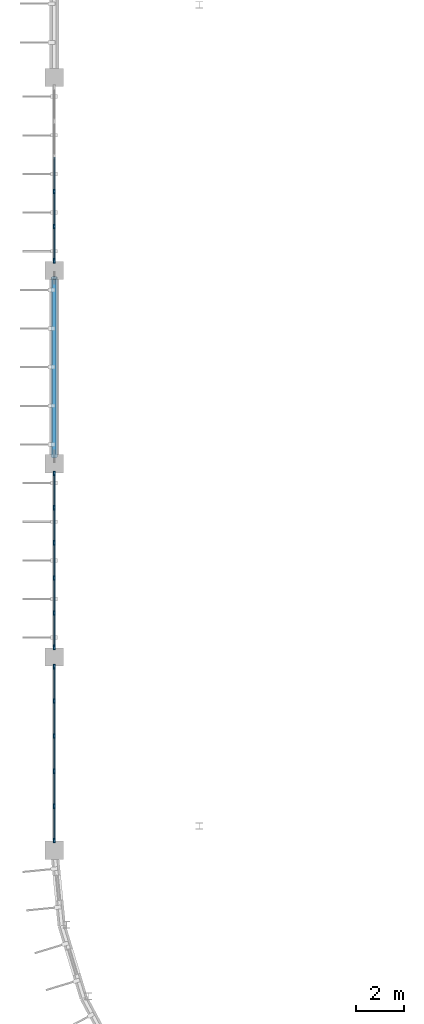
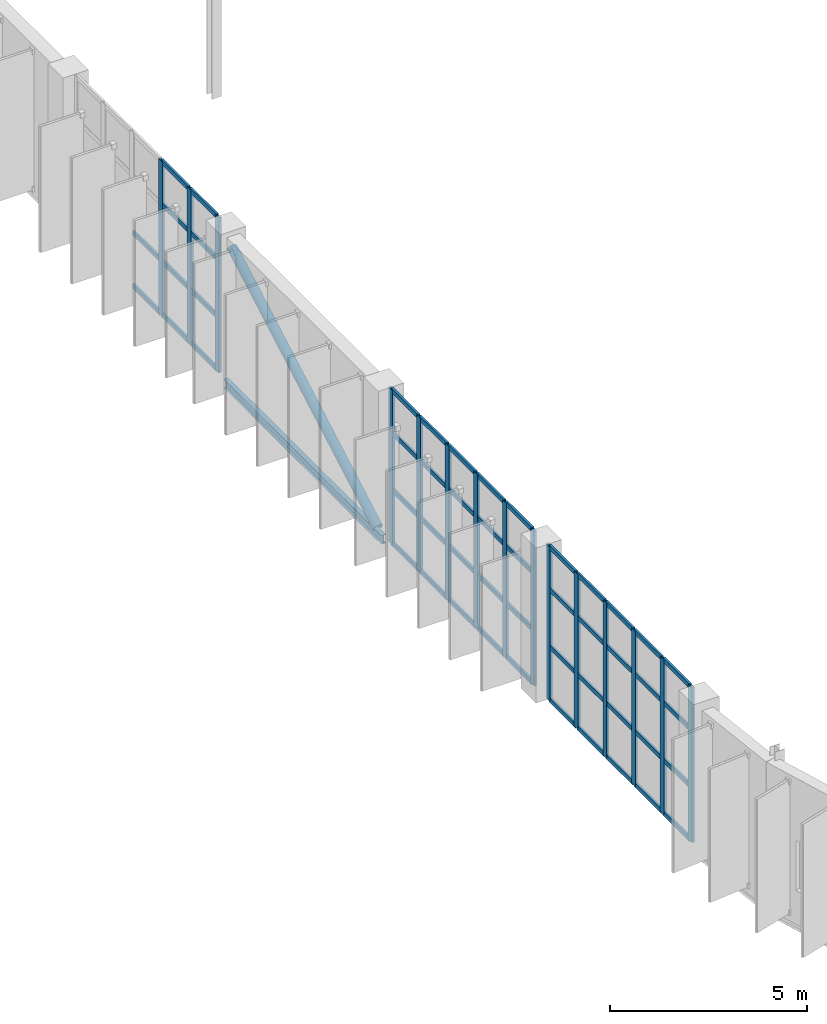
# One storey, part 14 of 93: 66 members, 1 beam, 3 elements without a shape of their own.
"""IFC4 building model written with IfcOpenShell, lengths in metres."""

from ifc_helpers import new_model, si_unit, direction, frame, origin, origin_2d, place, context, subcontext, project, spatial, rectangle, hollow_circle, i_section, extrude, material, layer, layer_set, material_profile, profile_set, type_object, element, aggregate, save


model = new_model("IFC4")

# Units and contexts
model_context = context("Model", 3, precision=1e-05, world=origin(), true_north=direction((0.0, 1.0)))
body_context = subcontext(model_context, "Body", "Model", "MODEL_VIEW")
ifc_project = project(units=[si_unit("LENGTHUNIT", "METRE"), si_unit("AREAUNIT", "SQUARE_METRE"), si_unit("VOLUMEUNIT", "CUBIC_METRE"), si_unit("PLANEANGLEUNIT", "RADIAN"), si_unit("MASSUNIT", "GRAM", prefix="KILO")], contexts=[model_context])

# Site, building, storey
site_placement = place(None, origin())
site = spatial("IfcSite", under=ifc_project, at=site_placement, CompositionType="ELEMENT")
building_placement = place(site_placement, origin())
building = spatial("IfcBuilding", under=site, at=building_placement, Name="Drelvana Railside Aquatics Centre", CompositionType="ELEMENT")
storey_placement = place(building_placement, frame((0.0, 0.0, 5.39990234375)))
storey = spatial("IfcBuildingStorey", under=building, at=storey_placement, Name="L01", CompositionType="ELEMENT", Elevation=5.39990234375)

# Curtain wall, members
ifc_material_1 = material(Name="Bronze-anodised aluminium curtain wall", Category="aluminium")
ifc_layer = layer(ifc_material_1, 0.179931640625, Name="Bronze-anodised aluminium curtain wall")
ifc_layer_set = layer_set([ifc_layer], Name="Bronze-anodised aluminium curtain wall")
curtain_wall_type = type_object("IfcCurtainWallType", Name="CW-Z2-CLER", PredefinedType="NOTDEFINED", material=ifc_layer_set)
curtain_wall_1_placement = place(storey_placement, origin())
curtain_wall_1 = element("IfcCurtainWall", 1, at=curtain_wall_1_placement, inside=storey, type_object=curtain_wall_type, Name="Curtain wall CW-02-042", PredefinedType="NOTDEFINED")
ifc_material_2 = material(Name="Bronze-anodised aluminium 6063-T6", Category="aluminium")
ifc_material_profile_1 = material_profile(ifc_material_2, rectangle(XDim=0.070068359375, YDim=0.199951171875, at=origin_2d()), Name="ALU-M 70x200")
ifc_profile_set_1 = profile_set([ifc_material_profile_1], Name="Bronze-anodised aluminium 6063-T6")
member_type_1 = type_object("IfcMemberType", Name="CW-Z2-CLER-MUL", PredefinedType="MULLION", material=ifc_profile_set_1)
member_1_placement = place(storey_placement, frame((0.0, 32.404052734375, -0.005859375), z_axis=(0.0, 0.0, 1.0), x_axis=(-1.0, 0.0, 0.0)))
member_1 = element("IfcMember", 2, at=member_1_placement, type_object=member_type_1, Name="CW-02 mullion 1", PredefinedType="MULLION", context=body_context, shape_type="SweptSolid", body=[
    extrude(rectangle(XDim=0.070068359375, YDim=0.199951171875, at=origin_2d()), origin(), (0.0, 0.0, 1.0), 4.7958984375),
])
member_2_placement = place(storey_placement, frame((0.0, 33.8212890625, -0.005859375), z_axis=(0.0, 0.0, 1.0), x_axis=(-1.0, 0.0, 0.0)))
member_2 = element("IfcMember", 3, at=member_2_placement, type_object=member_type_1, Name="CW-02 mullion 2", PredefinedType="MULLION", context=body_context, shape_type="SweptSolid", body=[
    extrude(rectangle(XDim=0.070068359375, YDim=0.199951171875, at=origin_2d()), origin(), (0.0, 0.0, 1.0), 4.7958984375),
])
member_3_placement = place(storey_placement, frame((0.0, 35.273681640625, -0.005859375), z_axis=(0.0, 0.0, 1.0), x_axis=(-1.0, 0.0, 0.0)))
member_3 = element("IfcMember", 4, at=member_3_placement, type_object=member_type_1, Name="CW-02 mullion 3", PredefinedType="MULLION", context=body_context, shape_type="SweptSolid", body=[
    extrude(rectangle(XDim=0.070068359375, YDim=0.199951171875, at=origin_2d()), origin(), (0.0, 0.0, 1.0), 4.7958984375),
])
member_4_placement = place(storey_placement, frame((0.0, 36.726318359375, -0.005859375), z_axis=(0.0, 0.0, 1.0), x_axis=(-1.0, 0.0, 0.0)))
member_4 = element("IfcMember", 5, at=member_4_placement, type_object=member_type_1, Name="CW-02 mullion 4", PredefinedType="MULLION", context=body_context, shape_type="SweptSolid", body=[
    extrude(rectangle(XDim=0.070068359375, YDim=0.199951171875, at=origin_2d()), origin(), (0.0, 0.0, 1.0), 4.7958984375),
])
member_5_placement = place(storey_placement, frame((0.0, 38.1787109375, -0.005859375), z_axis=(0.0, 0.0, 1.0), x_axis=(-1.0, 0.0, 0.0)))
member_5 = element("IfcMember", 6, at=member_5_placement, type_object=member_type_1, Name="CW-02 mullion 5", PredefinedType="MULLION", context=body_context, shape_type="SweptSolid", body=[
    extrude(rectangle(XDim=0.070068359375, YDim=0.199951171875, at=origin_2d()), origin(), (0.0, 0.0, 1.0), 4.7958984375),
])
member_6_placement = place(storey_placement, frame((0.0, 39.595947265625, -0.005859375), z_axis=(0.0, 0.0, 1.0), x_axis=(-1.0, 0.0, 0.0)))
member_6 = element("IfcMember", 7, at=member_6_placement, type_object=member_type_1, Name="CW-02 mullion 6", PredefinedType="MULLION", context=body_context, shape_type="SweptSolid", body=[
    extrude(rectangle(XDim=0.070068359375, YDim=0.199951171875, at=origin_2d()), origin(), (0.0, 0.0, 1.0), 4.7958984375),
])

curtain_wall_2_placement = place(storey_placement, origin())
curtain_wall_2 = element("IfcCurtainWall", 8, at=curtain_wall_2_placement, inside=storey, type_object=curtain_wall_type, Name="Curtain wall CW-02-046", PredefinedType="NOTDEFINED")
member_7_placement = place(storey_placement, frame((0.0, 40.404052734375, -0.005859375), z_axis=(0.0, 0.0, 1.0), x_axis=(-1.0, 0.0, 0.0)))
member_7 = element("IfcMember", 9, at=member_7_placement, type_object=member_type_1, Name="CW-02 mullion 1", PredefinedType="MULLION", context=body_context, shape_type="SweptSolid", body=[
    extrude(rectangle(XDim=0.070068359375, YDim=0.199951171875, at=origin_2d()), origin(), (0.0, 0.0, 1.0), 4.7958984375),
])
member_8_placement = place(storey_placement, frame((0.0, 41.8212890625, -0.005859375), z_axis=(0.0, 0.0, 1.0), x_axis=(-1.0, 0.0, 0.0)))
member_8 = element("IfcMember", 10, at=member_8_placement, type_object=member_type_1, Name="CW-02 mullion 2", PredefinedType="MULLION", context=body_context, shape_type="SweptSolid", body=[
    extrude(rectangle(XDim=0.070068359375, YDim=0.199951171875, at=origin_2d()), origin(), (0.0, 0.0, 1.0), 4.7958984375),
])
member_9_placement = place(storey_placement, frame((0.0, 43.273681640625, -0.005859375), z_axis=(0.0, 0.0, 1.0), x_axis=(-1.0, 0.0, 0.0)))
member_9 = element("IfcMember", 11, at=member_9_placement, type_object=member_type_1, Name="CW-02 mullion 3", PredefinedType="MULLION", context=body_context, shape_type="SweptSolid", body=[
    extrude(rectangle(XDim=0.070068359375, YDim=0.199951171875, at=origin_2d()), origin(), (0.0, 0.0, 1.0), 4.7958984375),
])
member_10_placement = place(storey_placement, frame((0.0, 44.726318359375, -0.005859375), z_axis=(0.0, 0.0, 1.0), x_axis=(-1.0, 0.0, 0.0)))
member_10 = element("IfcMember", 12, at=member_10_placement, type_object=member_type_1, Name="CW-02 mullion 4", PredefinedType="MULLION", context=body_context, shape_type="SweptSolid", body=[
    extrude(rectangle(XDim=0.070068359375, YDim=0.199951171875, at=origin_2d()), origin(), (0.0, 0.0, 1.0), 4.7958984375),
])
member_11_placement = place(storey_placement, frame((0.0, 46.1787109375, -0.005859375), z_axis=(0.0, 0.0, 1.0), x_axis=(-1.0, 0.0, 0.0)))
member_11 = element("IfcMember", 13, at=member_11_placement, type_object=member_type_1, Name="CW-02 mullion 5", PredefinedType="MULLION", context=body_context, shape_type="SweptSolid", body=[
    extrude(rectangle(XDim=0.070068359375, YDim=0.199951171875, at=origin_2d()), origin(), (0.0, 0.0, 1.0), 4.7958984375),
])
member_12_placement = place(storey_placement, frame((0.0, 47.595947265625, -0.005859375), z_axis=(0.0, 0.0, 1.0), x_axis=(-1.0, 0.0, 0.0)))
member_12 = element("IfcMember", 14, at=member_12_placement, type_object=member_type_1, Name="CW-02 mullion 6", PredefinedType="MULLION", context=body_context, shape_type="SweptSolid", body=[
    extrude(rectangle(XDim=0.070068359375, YDim=0.199951171875, at=origin_2d()), origin(), (0.0, 0.0, 1.0), 4.7958984375),
])

curtain_wall_3_placement = place(storey_placement, origin())
curtain_wall_3 = element("IfcCurtainWall", 15, at=curtain_wall_3_placement, inside=storey, type_object=curtain_wall_type, Name="Curtain wall CW-02-051", PredefinedType="NOTDEFINED")
member_13_placement = place(storey_placement, frame((0.0, 56.404052734375, -0.005859375), z_axis=(0.0, 0.0, 1.0), x_axis=(-1.0, 0.0, 0.0)))
member_13 = element("IfcMember", 16, at=member_13_placement, type_object=member_type_1, Name="CW-02 mullion 1", PredefinedType="MULLION", context=body_context, shape_type="SweptSolid", body=[
    extrude(rectangle(XDim=0.070068359375, YDim=0.199951171875, at=origin_2d()), origin(), (0.0, 0.0, 1.0), 4.7958984375),
])
member_14_placement = place(storey_placement, frame((0.0, 57.8212890625, -0.005859375), z_axis=(0.0, 0.0, 1.0), x_axis=(-1.0, 0.0, 0.0)))
member_14 = element("IfcMember", 17, at=member_14_placement, type_object=member_type_1, Name="CW-02 mullion 2", PredefinedType="MULLION", context=body_context, shape_type="SweptSolid", body=[
    extrude(rectangle(XDim=0.070068359375, YDim=0.199951171875, at=origin_2d()), origin(), (0.0, 0.0, 1.0), 4.7958984375),
])
member_15_placement = place(storey_placement, frame((0.0, 59.273681640625, -0.005859375), z_axis=(0.0, 0.0, 1.0), x_axis=(-1.0, 0.0, 0.0)))
member_15 = element("IfcMember", 18, at=member_15_placement, type_object=member_type_1, Name="CW-02 mullion 3", PredefinedType="MULLION", context=body_context, shape_type="SweptSolid", body=[
    extrude(rectangle(XDim=0.070068359375, YDim=0.199951171875, at=origin_2d()), origin(), (0.0, 0.0, 1.0), 4.7958984375),
])

# Member
ifc_material_profile_2 = material_profile(ifc_material_2, rectangle(XDim=0.139892578125, YDim=0.06494140625, at=origin_2d()), Name="ALU-T 65x140")
ifc_profile_set_2 = profile_set([ifc_material_profile_2], Name="Bronze-anodised aluminium 6063-T6")
member_type_2 = type_object("IfcMemberType", Name="CW-Z2-CLER-TRN", PredefinedType="USERDEFINED", material=ifc_profile_set_2)
member_16_placement = place(storey_placement, frame((0.0, 32.43408203125, 0.026611328125), z_axis=(0.0, 1.0, 0.0), x_axis=(0.0, 0.0, 1.0)))
member_16 = element("IfcMember", 19, at=member_16_placement, type_object=member_type_2, Name="CW-02 transom 1.1", ObjectType="TRANSOM", PredefinedType="USERDEFINED", context=body_context, shape_type="SweptSolid", body=[
    extrude(rectangle(XDim=0.139892578125, YDim=0.06494140625, at=origin_2d()), origin(), (0.0, 0.0, 1.0), 1.357421875),
])

member_17_placement = place(storey_placement, frame((0.0, 32.43408203125, 1.673095703125), z_axis=(0.0, 1.0, 0.0), x_axis=(0.0, 0.0, 1.0)))
member_17 = element("IfcMember", 20, at=member_17_placement, type_object=member_type_2, Name="CW-02 transom 1.2", ObjectType="TRANSOM", PredefinedType="USERDEFINED", context=body_context, shape_type="SweptSolid", body=[
    extrude(rectangle(XDim=0.139892578125, YDim=0.06494140625, at=origin_2d()), origin(), (0.0, 0.0, 1.0), 1.357421875),
])

member_18_placement = place(storey_placement, frame((0.0, 32.43408203125, 3.447021484375), z_axis=(0.0, 1.0, 0.0), x_axis=(0.0, 0.0, 1.0)))
member_18 = element("IfcMember", 21, at=member_18_placement, type_object=member_type_2, Name="CW-02 transom 1.3", ObjectType="TRANSOM", PredefinedType="USERDEFINED", context=body_context, shape_type="SweptSolid", body=[
    extrude(rectangle(XDim=0.139892578125, YDim=0.06494140625, at=origin_2d()), origin(), (0.0, 0.0, 1.0), 1.357421875),
])

member_19_placement = place(storey_placement, frame((0.0, 32.43408203125, 4.757568359375), z_axis=(0.0, 1.0, 0.0), x_axis=(0.0, 0.0, 1.0)))
member_19 = element("IfcMember", 22, at=member_19_placement, type_object=member_type_2, Name="CW-02 transom 1.4", ObjectType="TRANSOM", PredefinedType="USERDEFINED", context=body_context, shape_type="SweptSolid", body=[
    extrude(rectangle(XDim=0.139892578125, YDim=0.06494140625, at=origin_2d()), origin(), (0.0, 0.0, 1.0), 1.357421875),
])

member_20_placement = place(storey_placement, frame((0.0, 33.851318359375, 0.026611328125), z_axis=(0.0, 1.0, 0.0), x_axis=(0.0, 0.0, 1.0)))
member_20 = element("IfcMember", 23, at=member_20_placement, type_object=member_type_2, Name="CW-02 transom 2.1", ObjectType="TRANSOM", PredefinedType="USERDEFINED", context=body_context, shape_type="SweptSolid", body=[
    extrude(rectangle(XDim=0.139892578125, YDim=0.06494140625, at=origin_2d()), origin(), (0.0, 0.0, 1.0), 1.392578125),
])

member_21_placement = place(storey_placement, frame((0.0, 33.851318359375, 1.673095703125), z_axis=(0.0, 1.0, 0.0), x_axis=(0.0, 0.0, 1.0)))
member_21 = element("IfcMember", 24, at=member_21_placement, type_object=member_type_2, Name="CW-02 transom 2.2", ObjectType="TRANSOM", PredefinedType="USERDEFINED", context=body_context, shape_type="SweptSolid", body=[
    extrude(rectangle(XDim=0.139892578125, YDim=0.06494140625, at=origin_2d()), origin(), (0.0, 0.0, 1.0), 1.392578125),
])

member_22_placement = place(storey_placement, frame((0.0, 33.851318359375, 3.447021484375), z_axis=(0.0, 1.0, 0.0), x_axis=(0.0, 0.0, 1.0)))
member_22 = element("IfcMember", 25, at=member_22_placement, type_object=member_type_2, Name="CW-02 transom 2.3", ObjectType="TRANSOM", PredefinedType="USERDEFINED", context=body_context, shape_type="SweptSolid", body=[
    extrude(rectangle(XDim=0.139892578125, YDim=0.06494140625, at=origin_2d()), origin(), (0.0, 0.0, 1.0), 1.392578125),
])

member_23_placement = place(storey_placement, frame((0.0, 33.851318359375, 4.757568359375), z_axis=(0.0, 1.0, 0.0), x_axis=(0.0, 0.0, 1.0)))
member_23 = element("IfcMember", 26, at=member_23_placement, type_object=member_type_2, Name="CW-02 transom 2.4", ObjectType="TRANSOM", PredefinedType="USERDEFINED", context=body_context, shape_type="SweptSolid", body=[
    extrude(rectangle(XDim=0.139892578125, YDim=0.06494140625, at=origin_2d()), origin(), (0.0, 0.0, 1.0), 1.392578125),
])

member_24_placement = place(storey_placement, frame((0.0, 35.3037109375, 0.026611328125), z_axis=(0.0, 1.0, 0.0), x_axis=(0.0, 0.0, 1.0)))
member_24 = element("IfcMember", 27, at=member_24_placement, type_object=member_type_2, Name="CW-02 transom 3.1", ObjectType="TRANSOM", PredefinedType="USERDEFINED", context=body_context, shape_type="SweptSolid", body=[
    extrude(rectangle(XDim=0.139892578125, YDim=0.06494140625, at=origin_2d()), origin(), (0.0, 0.0, 1.0), 1.392578125),
])

member_25_placement = place(storey_placement, frame((0.0, 35.3037109375, 1.673095703125), z_axis=(0.0, 1.0, 0.0), x_axis=(0.0, 0.0, 1.0)))
member_25 = element("IfcMember", 28, at=member_25_placement, type_object=member_type_2, Name="CW-02 transom 3.2", ObjectType="TRANSOM", PredefinedType="USERDEFINED", context=body_context, shape_type="SweptSolid", body=[
    extrude(rectangle(XDim=0.139892578125, YDim=0.06494140625, at=origin_2d()), origin(), (0.0, 0.0, 1.0), 1.392578125),
])

member_26_placement = place(storey_placement, frame((0.0, 35.3037109375, 3.447021484375), z_axis=(0.0, 1.0, 0.0), x_axis=(0.0, 0.0, 1.0)))
member_26 = element("IfcMember", 29, at=member_26_placement, type_object=member_type_2, Name="CW-02 transom 3.3", ObjectType="TRANSOM", PredefinedType="USERDEFINED", context=body_context, shape_type="SweptSolid", body=[
    extrude(rectangle(XDim=0.139892578125, YDim=0.06494140625, at=origin_2d()), origin(), (0.0, 0.0, 1.0), 1.392578125),
])

member_27_placement = place(storey_placement, frame((0.0, 35.3037109375, 4.757568359375), z_axis=(0.0, 1.0, 0.0), x_axis=(0.0, 0.0, 1.0)))
member_27 = element("IfcMember", 30, at=member_27_placement, type_object=member_type_2, Name="CW-02 transom 3.4", ObjectType="TRANSOM", PredefinedType="USERDEFINED", context=body_context, shape_type="SweptSolid", body=[
    extrude(rectangle(XDim=0.139892578125, YDim=0.06494140625, at=origin_2d()), origin(), (0.0, 0.0, 1.0), 1.392578125),
])

member_28_placement = place(storey_placement, frame((0.0, 36.756103515625, 0.026611328125), z_axis=(0.0, 1.0, 0.0), x_axis=(0.0, 0.0, 1.0)))
member_28 = element("IfcMember", 31, at=member_28_placement, type_object=member_type_2, Name="CW-02 transom 4.1", ObjectType="TRANSOM", PredefinedType="USERDEFINED", context=body_context, shape_type="SweptSolid", body=[
    extrude(rectangle(XDim=0.139892578125, YDim=0.06494140625, at=origin_2d()), origin(), (0.0, 0.0, 1.0), 1.392578125),
])

member_29_placement = place(storey_placement, frame((0.0, 36.756103515625, 1.673095703125), z_axis=(0.0, 1.0, 0.0), x_axis=(0.0, 0.0, 1.0)))
member_29 = element("IfcMember", 32, at=member_29_placement, type_object=member_type_2, Name="CW-02 transom 4.2", ObjectType="TRANSOM", PredefinedType="USERDEFINED", context=body_context, shape_type="SweptSolid", body=[
    extrude(rectangle(XDim=0.139892578125, YDim=0.06494140625, at=origin_2d()), origin(), (0.0, 0.0, 1.0), 1.392578125),
])

member_30_placement = place(storey_placement, frame((0.0, 36.756103515625, 3.447021484375), z_axis=(0.0, 1.0, 0.0), x_axis=(0.0, 0.0, 1.0)))
member_30 = element("IfcMember", 33, at=member_30_placement, type_object=member_type_2, Name="CW-02 transom 4.3", ObjectType="TRANSOM", PredefinedType="USERDEFINED", context=body_context, shape_type="SweptSolid", body=[
    extrude(rectangle(XDim=0.139892578125, YDim=0.06494140625, at=origin_2d()), origin(), (0.0, 0.0, 1.0), 1.392578125),
])

member_31_placement = place(storey_placement, frame((0.0, 36.756103515625, 4.757568359375), z_axis=(0.0, 1.0, 0.0), x_axis=(0.0, 0.0, 1.0)))
member_31 = element("IfcMember", 34, at=member_31_placement, type_object=member_type_2, Name="CW-02 transom 4.4", ObjectType="TRANSOM", PredefinedType="USERDEFINED", context=body_context, shape_type="SweptSolid", body=[
    extrude(rectangle(XDim=0.139892578125, YDim=0.06494140625, at=origin_2d()), origin(), (0.0, 0.0, 1.0), 1.392578125),
])

member_32_placement = place(storey_placement, frame((0.0, 38.20849609375, 0.026611328125), z_axis=(0.0, 1.0, 0.0), x_axis=(0.0, 0.0, 1.0)))
member_32 = element("IfcMember", 35, at=member_32_placement, type_object=member_type_2, Name="CW-02 transom 5.1", ObjectType="TRANSOM", PredefinedType="USERDEFINED", context=body_context, shape_type="SweptSolid", body=[
    extrude(rectangle(XDim=0.139892578125, YDim=0.06494140625, at=origin_2d()), origin(), (0.0, 0.0, 1.0), 1.357421875),
])

member_33_placement = place(storey_placement, frame((0.0, 38.20849609375, 1.673095703125), z_axis=(0.0, 1.0, 0.0), x_axis=(0.0, 0.0, 1.0)))
member_33 = element("IfcMember", 36, at=member_33_placement, type_object=member_type_2, Name="CW-02 transom 5.2", ObjectType="TRANSOM", PredefinedType="USERDEFINED", context=body_context, shape_type="SweptSolid", body=[
    extrude(rectangle(XDim=0.139892578125, YDim=0.06494140625, at=origin_2d()), origin(), (0.0, 0.0, 1.0), 1.357421875),
])

member_34_placement = place(storey_placement, frame((0.0, 38.20849609375, 3.447021484375), z_axis=(0.0, 1.0, 0.0), x_axis=(0.0, 0.0, 1.0)))
member_34 = element("IfcMember", 37, at=member_34_placement, type_object=member_type_2, Name="CW-02 transom 5.3", ObjectType="TRANSOM", PredefinedType="USERDEFINED", context=body_context, shape_type="SweptSolid", body=[
    extrude(rectangle(XDim=0.139892578125, YDim=0.06494140625, at=origin_2d()), origin(), (0.0, 0.0, 1.0), 1.357421875),
])

member_35_placement = place(storey_placement, frame((0.0, 38.20849609375, 4.757568359375), z_axis=(0.0, 1.0, 0.0), x_axis=(0.0, 0.0, 1.0)))
member_35 = element("IfcMember", 38, at=member_35_placement, type_object=member_type_2, Name="CW-02 transom 5.4", ObjectType="TRANSOM", PredefinedType="USERDEFINED", context=body_context, shape_type="SweptSolid", body=[
    extrude(rectangle(XDim=0.139892578125, YDim=0.06494140625, at=origin_2d()), origin(), (0.0, 0.0, 1.0), 1.357421875),
])

aggregate(curtain_wall_1, [member_1, member_2, member_3, member_4, member_5, member_6, member_16, member_17, member_18, member_19, member_20, member_21, member_22, member_23, member_24, member_25, member_26, member_27, member_28, member_29, member_30, member_31, member_32, member_33, member_34, member_35])

member_36_placement = place(storey_placement, frame((0.0, 40.43408203125, 0.026611328125), z_axis=(0.0, 1.0, 0.0), x_axis=(0.0, 0.0, 1.0)))
member_36 = element("IfcMember", 39, at=member_36_placement, type_object=member_type_2, Name="CW-02 transom 1.1", ObjectType="TRANSOM", PredefinedType="USERDEFINED", context=body_context, shape_type="SweptSolid", body=[
    extrude(rectangle(XDim=0.139892578125, YDim=0.06494140625, at=origin_2d()), origin(), (0.0, 0.0, 1.0), 1.357421875),
])

member_37_placement = place(storey_placement, frame((0.0, 40.43408203125, 1.673095703125), z_axis=(0.0, 1.0, 0.0), x_axis=(0.0, 0.0, 1.0)))
member_37 = element("IfcMember", 40, at=member_37_placement, type_object=member_type_2, Name="CW-02 transom 1.2", ObjectType="TRANSOM", PredefinedType="USERDEFINED", context=body_context, shape_type="SweptSolid", body=[
    extrude(rectangle(XDim=0.139892578125, YDim=0.06494140625, at=origin_2d()), origin(), (0.0, 0.0, 1.0), 1.357421875),
])

member_38_placement = place(storey_placement, frame((0.0, 40.43408203125, 3.447021484375), z_axis=(0.0, 1.0, 0.0), x_axis=(0.0, 0.0, 1.0)))
member_38 = element("IfcMember", 41, at=member_38_placement, type_object=member_type_2, Name="CW-02 transom 1.3", ObjectType="TRANSOM", PredefinedType="USERDEFINED", context=body_context, shape_type="SweptSolid", body=[
    extrude(rectangle(XDim=0.139892578125, YDim=0.06494140625, at=origin_2d()), origin(), (0.0, 0.0, 1.0), 1.357421875),
])

member_39_placement = place(storey_placement, frame((0.0, 40.43408203125, 4.757568359375), z_axis=(0.0, 1.0, 0.0), x_axis=(0.0, 0.0, 1.0)))
member_39 = element("IfcMember", 42, at=member_39_placement, type_object=member_type_2, Name="CW-02 transom 1.4", ObjectType="TRANSOM", PredefinedType="USERDEFINED", context=body_context, shape_type="SweptSolid", body=[
    extrude(rectangle(XDim=0.139892578125, YDim=0.06494140625, at=origin_2d()), origin(), (0.0, 0.0, 1.0), 1.357421875),
])

member_40_placement = place(storey_placement, frame((0.0, 41.851318359375, 0.026611328125), z_axis=(0.0, 1.0, 0.0), x_axis=(0.0, 0.0, 1.0)))
member_40 = element("IfcMember", 43, at=member_40_placement, type_object=member_type_2, Name="CW-02 transom 2.1", ObjectType="TRANSOM", PredefinedType="USERDEFINED", context=body_context, shape_type="SweptSolid", body=[
    extrude(rectangle(XDim=0.139892578125, YDim=0.06494140625, at=origin_2d()), origin(), (0.0, 0.0, 1.0), 1.392578125),
])

member_41_placement = place(storey_placement, frame((0.0, 41.851318359375, 1.673095703125), z_axis=(0.0, 1.0, 0.0), x_axis=(0.0, 0.0, 1.0)))
member_41 = element("IfcMember", 44, at=member_41_placement, type_object=member_type_2, Name="CW-02 transom 2.2", ObjectType="TRANSOM", PredefinedType="USERDEFINED", context=body_context, shape_type="SweptSolid", body=[
    extrude(rectangle(XDim=0.139892578125, YDim=0.06494140625, at=origin_2d()), origin(), (0.0, 0.0, 1.0), 1.392578125),
])

member_42_placement = place(storey_placement, frame((0.0, 41.851318359375, 3.447021484375), z_axis=(0.0, 1.0, 0.0), x_axis=(0.0, 0.0, 1.0)))
member_42 = element("IfcMember", 45, at=member_42_placement, type_object=member_type_2, Name="CW-02 transom 2.3", ObjectType="TRANSOM", PredefinedType="USERDEFINED", context=body_context, shape_type="SweptSolid", body=[
    extrude(rectangle(XDim=0.139892578125, YDim=0.06494140625, at=origin_2d()), origin(), (0.0, 0.0, 1.0), 1.392578125),
])

member_43_placement = place(storey_placement, frame((0.0, 41.851318359375, 4.757568359375), z_axis=(0.0, 1.0, 0.0), x_axis=(0.0, 0.0, 1.0)))
member_43 = element("IfcMember", 46, at=member_43_placement, type_object=member_type_2, Name="CW-02 transom 2.4", ObjectType="TRANSOM", PredefinedType="USERDEFINED", context=body_context, shape_type="SweptSolid", body=[
    extrude(rectangle(XDim=0.139892578125, YDim=0.06494140625, at=origin_2d()), origin(), (0.0, 0.0, 1.0), 1.392578125),
])

member_44_placement = place(storey_placement, frame((0.0, 43.3037109375, 0.026611328125), z_axis=(0.0, 1.0, 0.0), x_axis=(0.0, 0.0, 1.0)))
member_44 = element("IfcMember", 47, at=member_44_placement, type_object=member_type_2, Name="CW-02 transom 3.1", ObjectType="TRANSOM", PredefinedType="USERDEFINED", context=body_context, shape_type="SweptSolid", body=[
    extrude(rectangle(XDim=0.139892578125, YDim=0.06494140625, at=origin_2d()), origin(), (0.0, 0.0, 1.0), 1.392578125),
])

member_45_placement = place(storey_placement, frame((0.0, 43.3037109375, 1.673095703125), z_axis=(0.0, 1.0, 0.0), x_axis=(0.0, 0.0, 1.0)))
member_45 = element("IfcMember", 48, at=member_45_placement, type_object=member_type_2, Name="CW-02 transom 3.2", ObjectType="TRANSOM", PredefinedType="USERDEFINED", context=body_context, shape_type="SweptSolid", body=[
    extrude(rectangle(XDim=0.139892578125, YDim=0.06494140625, at=origin_2d()), origin(), (0.0, 0.0, 1.0), 1.392578125),
])

member_46_placement = place(storey_placement, frame((0.0, 43.3037109375, 3.447021484375), z_axis=(0.0, 1.0, 0.0), x_axis=(0.0, 0.0, 1.0)))
member_46 = element("IfcMember", 49, at=member_46_placement, type_object=member_type_2, Name="CW-02 transom 3.3", ObjectType="TRANSOM", PredefinedType="USERDEFINED", context=body_context, shape_type="SweptSolid", body=[
    extrude(rectangle(XDim=0.139892578125, YDim=0.06494140625, at=origin_2d()), origin(), (0.0, 0.0, 1.0), 1.392578125),
])

member_47_placement = place(storey_placement, frame((0.0, 43.3037109375, 4.757568359375), z_axis=(0.0, 1.0, 0.0), x_axis=(0.0, 0.0, 1.0)))
member_47 = element("IfcMember", 50, at=member_47_placement, type_object=member_type_2, Name="CW-02 transom 3.4", ObjectType="TRANSOM", PredefinedType="USERDEFINED", context=body_context, shape_type="SweptSolid", body=[
    extrude(rectangle(XDim=0.139892578125, YDim=0.06494140625, at=origin_2d()), origin(), (0.0, 0.0, 1.0), 1.392578125),
])

member_48_placement = place(storey_placement, frame((0.0, 44.756103515625, 0.026611328125), z_axis=(0.0, 1.0, 0.0), x_axis=(0.0, 0.0, 1.0)))
member_48 = element("IfcMember", 51, at=member_48_placement, type_object=member_type_2, Name="CW-02 transom 4.1", ObjectType="TRANSOM", PredefinedType="USERDEFINED", context=body_context, shape_type="SweptSolid", body=[
    extrude(rectangle(XDim=0.139892578125, YDim=0.06494140625, at=origin_2d()), origin(), (0.0, 0.0, 1.0), 1.392578125),
])

member_49_placement = place(storey_placement, frame((0.0, 44.756103515625, 1.673095703125), z_axis=(0.0, 1.0, 0.0), x_axis=(0.0, 0.0, 1.0)))
member_49 = element("IfcMember", 52, at=member_49_placement, type_object=member_type_2, Name="CW-02 transom 4.2", ObjectType="TRANSOM", PredefinedType="USERDEFINED", context=body_context, shape_type="SweptSolid", body=[
    extrude(rectangle(XDim=0.139892578125, YDim=0.06494140625, at=origin_2d()), origin(), (0.0, 0.0, 1.0), 1.392578125),
])

member_50_placement = place(storey_placement, frame((0.0, 44.756103515625, 3.447021484375), z_axis=(0.0, 1.0, 0.0), x_axis=(0.0, 0.0, 1.0)))
member_50 = element("IfcMember", 53, at=member_50_placement, type_object=member_type_2, Name="CW-02 transom 4.3", ObjectType="TRANSOM", PredefinedType="USERDEFINED", context=body_context, shape_type="SweptSolid", body=[
    extrude(rectangle(XDim=0.139892578125, YDim=0.06494140625, at=origin_2d()), origin(), (0.0, 0.0, 1.0), 1.392578125),
])

member_51_placement = place(storey_placement, frame((0.0, 44.756103515625, 4.757568359375), z_axis=(0.0, 1.0, 0.0), x_axis=(0.0, 0.0, 1.0)))
member_51 = element("IfcMember", 54, at=member_51_placement, type_object=member_type_2, Name="CW-02 transom 4.4", ObjectType="TRANSOM", PredefinedType="USERDEFINED", context=body_context, shape_type="SweptSolid", body=[
    extrude(rectangle(XDim=0.139892578125, YDim=0.06494140625, at=origin_2d()), origin(), (0.0, 0.0, 1.0), 1.392578125),
])

member_52_placement = place(storey_placement, frame((0.0, 46.20849609375, 0.026611328125), z_axis=(0.0, 1.0, 0.0), x_axis=(0.0, 0.0, 1.0)))
member_52 = element("IfcMember", 55, at=member_52_placement, type_object=member_type_2, Name="CW-02 transom 5.1", ObjectType="TRANSOM", PredefinedType="USERDEFINED", context=body_context, shape_type="SweptSolid", body=[
    extrude(rectangle(XDim=0.139892578125, YDim=0.06494140625, at=origin_2d()), origin(), (0.0, 0.0, 1.0), 1.357421875),
])

member_53_placement = place(storey_placement, frame((0.0, 46.20849609375, 1.673095703125), z_axis=(0.0, 1.0, 0.0), x_axis=(0.0, 0.0, 1.0)))
member_53 = element("IfcMember", 56, at=member_53_placement, type_object=member_type_2, Name="CW-02 transom 5.2", ObjectType="TRANSOM", PredefinedType="USERDEFINED", context=body_context, shape_type="SweptSolid", body=[
    extrude(rectangle(XDim=0.139892578125, YDim=0.06494140625, at=origin_2d()), origin(), (0.0, 0.0, 1.0), 1.357421875),
])

member_54_placement = place(storey_placement, frame((0.0, 46.20849609375, 3.447021484375), z_axis=(0.0, 1.0, 0.0), x_axis=(0.0, 0.0, 1.0)))
member_54 = element("IfcMember", 57, at=member_54_placement, type_object=member_type_2, Name="CW-02 transom 5.3", ObjectType="TRANSOM", PredefinedType="USERDEFINED", context=body_context, shape_type="SweptSolid", body=[
    extrude(rectangle(XDim=0.139892578125, YDim=0.06494140625, at=origin_2d()), origin(), (0.0, 0.0, 1.0), 1.357421875),
])

member_55_placement = place(storey_placement, frame((0.0, 46.20849609375, 4.757568359375), z_axis=(0.0, 1.0, 0.0), x_axis=(0.0, 0.0, 1.0)))
member_55 = element("IfcMember", 58, at=member_55_placement, type_object=member_type_2, Name="CW-02 transom 5.4", ObjectType="TRANSOM", PredefinedType="USERDEFINED", context=body_context, shape_type="SweptSolid", body=[
    extrude(rectangle(XDim=0.139892578125, YDim=0.06494140625, at=origin_2d()), origin(), (0.0, 0.0, 1.0), 1.357421875),
])

aggregate(curtain_wall_2, [member_7, member_8, member_9, member_10, member_11, member_12, member_36, member_37, member_38, member_39, member_40, member_41, member_42, member_43, member_44, member_45, member_46, member_47, member_48, member_49, member_50, member_51, member_52, member_53, member_54, member_55])

member_56_placement = place(storey_placement, frame((0.0, 56.43408203125, 0.026611328125), z_axis=(0.0, 1.0, 0.0), x_axis=(0.0, 0.0, 1.0)))
member_56 = element("IfcMember", 59, at=member_56_placement, type_object=member_type_2, Name="CW-02 transom 1.1", ObjectType="TRANSOM", PredefinedType="USERDEFINED", context=body_context, shape_type="SweptSolid", body=[
    extrude(rectangle(XDim=0.139892578125, YDim=0.06494140625, at=origin_2d()), origin(), (0.0, 0.0, 1.0), 1.357421875),
])

member_57_placement = place(storey_placement, frame((0.0, 56.43408203125, 1.673095703125), z_axis=(0.0, 1.0, 0.0), x_axis=(0.0, 0.0, 1.0)))
member_57 = element("IfcMember", 60, at=member_57_placement, type_object=member_type_2, Name="CW-02 transom 1.2", ObjectType="TRANSOM", PredefinedType="USERDEFINED", context=body_context, shape_type="SweptSolid", body=[
    extrude(rectangle(XDim=0.139892578125, YDim=0.06494140625, at=origin_2d()), origin(), (0.0, 0.0, 1.0), 1.357421875),
])

member_58_placement = place(storey_placement, frame((0.0, 56.43408203125, 3.447021484375), z_axis=(0.0, 1.0, 0.0), x_axis=(0.0, 0.0, 1.0)))
member_58 = element("IfcMember", 61, at=member_58_placement, type_object=member_type_2, Name="CW-02 transom 1.3", ObjectType="TRANSOM", PredefinedType="USERDEFINED", context=body_context, shape_type="SweptSolid", body=[
    extrude(rectangle(XDim=0.139892578125, YDim=0.06494140625, at=origin_2d()), origin(), (0.0, 0.0, 1.0), 1.357421875),
])

member_59_placement = place(storey_placement, frame((0.0, 56.43408203125, 4.757568359375), z_axis=(0.0, 1.0, 0.0), x_axis=(0.0, 0.0, 1.0)))
member_59 = element("IfcMember", 62, at=member_59_placement, type_object=member_type_2, Name="CW-02 transom 1.4", ObjectType="TRANSOM", PredefinedType="USERDEFINED", context=body_context, shape_type="SweptSolid", body=[
    extrude(rectangle(XDim=0.139892578125, YDim=0.06494140625, at=origin_2d()), origin(), (0.0, 0.0, 1.0), 1.357421875),
])

member_60_placement = place(storey_placement, frame((0.0, 57.851318359375, 0.026611328125), z_axis=(0.0, 1.0, 0.0), x_axis=(0.0, 0.0, 1.0)))
member_60 = element("IfcMember", 63, at=member_60_placement, type_object=member_type_2, Name="CW-02 transom 2.1", ObjectType="TRANSOM", PredefinedType="USERDEFINED", context=body_context, shape_type="SweptSolid", body=[
    extrude(rectangle(XDim=0.139892578125, YDim=0.06494140625, at=origin_2d()), origin(), (0.0, 0.0, 1.0), 1.392578125),
])

member_61_placement = place(storey_placement, frame((0.0, 57.851318359375, 1.673095703125), z_axis=(0.0, 1.0, 0.0), x_axis=(0.0, 0.0, 1.0)))
member_61 = element("IfcMember", 64, at=member_61_placement, type_object=member_type_2, Name="CW-02 transom 2.2", ObjectType="TRANSOM", PredefinedType="USERDEFINED", context=body_context, shape_type="SweptSolid", body=[
    extrude(rectangle(XDim=0.139892578125, YDim=0.06494140625, at=origin_2d()), origin(), (0.0, 0.0, 1.0), 1.392578125),
])

member_62_placement = place(storey_placement, frame((0.0, 57.851318359375, 3.447021484375), z_axis=(0.0, 1.0, 0.0), x_axis=(0.0, 0.0, 1.0)))
member_62 = element("IfcMember", 65, at=member_62_placement, type_object=member_type_2, Name="CW-02 transom 2.3", ObjectType="TRANSOM", PredefinedType="USERDEFINED", context=body_context, shape_type="SweptSolid", body=[
    extrude(rectangle(XDim=0.139892578125, YDim=0.06494140625, at=origin_2d()), origin(), (0.0, 0.0, 1.0), 1.392578125),
])

member_63_placement = place(storey_placement, frame((0.0, 57.851318359375, 4.757568359375), z_axis=(0.0, 1.0, 0.0), x_axis=(0.0, 0.0, 1.0)))
member_63 = element("IfcMember", 66, at=member_63_placement, type_object=member_type_2, Name="CW-02 transom 2.4", ObjectType="TRANSOM", PredefinedType="USERDEFINED", context=body_context, shape_type="SweptSolid", body=[
    extrude(rectangle(XDim=0.139892578125, YDim=0.06494140625, at=origin_2d()), origin(), (0.0, 0.0, 1.0), 1.392578125),
])

member_64_placement = place(storey_placement, frame((0.0, 59.3037109375, 0.026611328125), z_axis=(0.0, 1.0, 0.0), x_axis=(0.0, 0.0, 1.0)))
member_64 = element("IfcMember", 67, at=member_64_placement, type_object=member_type_2, Name="CW-02 transom 3.1", ObjectType="TRANSOM", PredefinedType="USERDEFINED", context=body_context, shape_type="SweptSolid", body=[
    extrude(rectangle(XDim=0.139892578125, YDim=0.06494140625, at=origin_2d()), origin(), (0.0, 0.0, 1.0), 1.392578125),
])

member_65_placement = place(storey_placement, frame((0.0, 59.3037109375, 1.673095703125), z_axis=(0.0, 1.0, 0.0), x_axis=(0.0, 0.0, 1.0)))
member_65 = element("IfcMember", 68, at=member_65_placement, type_object=member_type_2, Name="CW-02 transom 3.2", ObjectType="TRANSOM", PredefinedType="USERDEFINED", context=body_context, shape_type="SweptSolid", body=[
    extrude(rectangle(XDim=0.139892578125, YDim=0.06494140625, at=origin_2d()), origin(), (0.0, 0.0, 1.0), 1.392578125),
])

aggregate(curtain_wall_3, [member_13, member_14, member_15, member_56, member_57, member_58, member_59, member_60, member_61, member_62, member_63, member_64, member_65])

ifc_material_3 = material(Name="Structural steel S355", Category="steel")
ifc_material_profile_3 = material_profile(ifc_material_3, hollow_circle(Radius=0.136474609375, WallThickness=0.012451171875, at=origin_2d()), Name="CHS 273x12.5")
ifc_profile_set_3 = profile_set([ifc_material_profile_3], Name="Structural steel S355")
member_type_3 = type_object("IfcMemberType", Name="STR-MBR-BR-03", PredefinedType="BRACE", material=ifc_profile_set_3)
member_66_placement = place(storey_placement, frame((0.0, 48.300048828125, 0.050048828125), z_axis=(0.0, 0.869685582334, 0.493606106001), x_axis=(-1.0, 0.0, 0.0)))
element("IfcMember", 69, at=member_66_placement, inside=storey, type_object=member_type_3, Name="Lateral frame brace BR-02 (L01)", PredefinedType="BRACE", context=body_context, shape_type="SweptSolid", body=[
    extrude(hollow_circle(Radius=0.136474609375, WallThickness=0.012451171875, at=origin_2d()), origin(), (0.0, 0.0, 1.0), 8.5087890625),
])

# Beam
ifc_material_profile_4 = material_profile(ifc_material_3, i_section(OverallWidth=0.135009765625, OverallDepth=0.27001953125, WebThickness=0.006591796875, FlangeThickness=0.01025390625, at=origin_2d()), Name="IPE 270")
ifc_profile_set_4 = profile_set([ifc_material_profile_4], Name="Structural steel S355")
beam_type = type_object("IfcBeamType", Name="STR-SBM-SJ-02-IPE-270", PredefinedType="JOIST", material=ifc_profile_set_4)
beam_placement = place(storey_placement, frame((0.0, 48.0, -0.135009765625), z_axis=(0.0, 1.0, 0.0), x_axis=(-1.0, 0.0, 0.0)))
element("IfcBeam", 70, at=beam_placement, inside=storey, type_object=beam_type, Name="V1 West L01 masonry girt 48", PredefinedType="JOIST", context=body_context, shape_type="SweptSolid", body=[
    extrude(i_section(OverallWidth=0.135009765625, OverallDepth=0.27001953125, WebThickness=0.006591796875, FlangeThickness=0.01025390625, at=origin_2d()), origin(), (0.0, 0.0, 1.0), 8.0),
])

save(model, "model.ifc")
